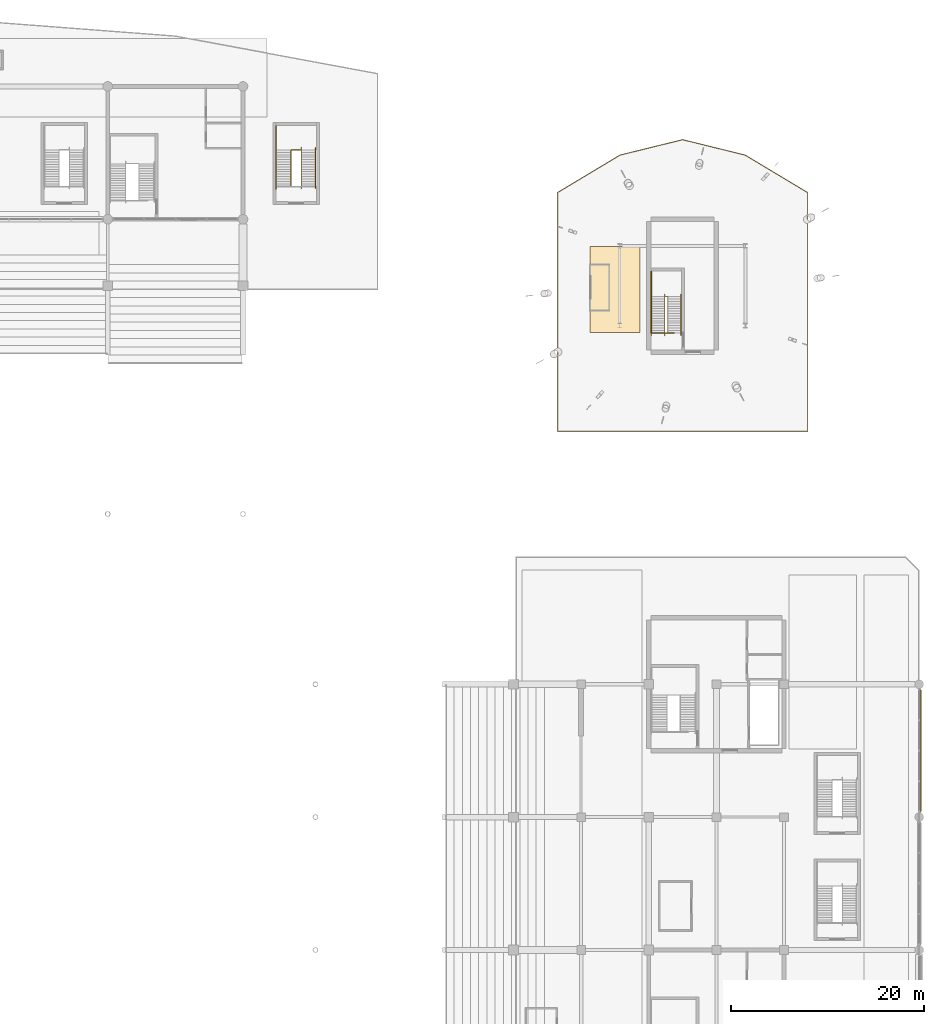
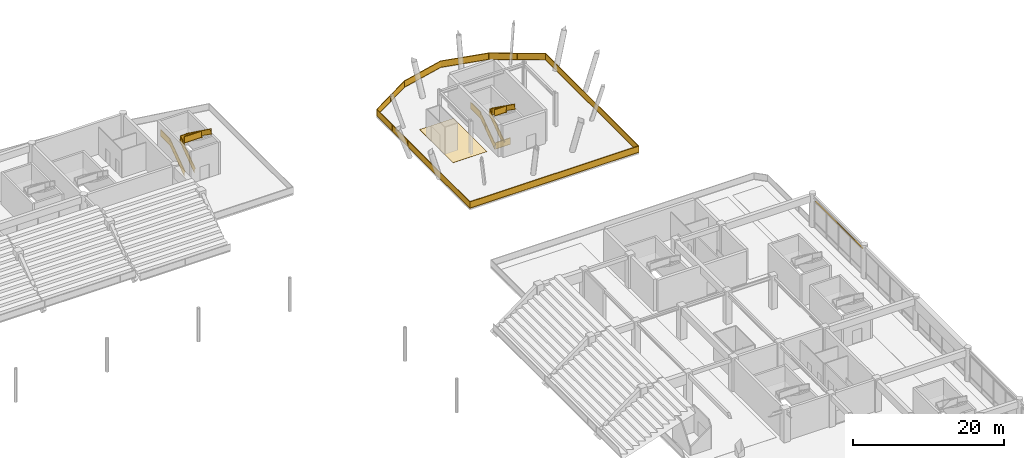
# One storey, part 117 of 117: 8 railings, 1 covering, 1 shading device.
"""IFC4 building model written with IfcOpenShell, lengths in metres."""

from ifc_helpers import new_model, si_unit, direction, frame, origin, origin_2d, place, context, subcontext, project, spatial, polyline, rectangle, outline, extrude, material, layer, layer_set, type_object, element, save


model = new_model("IFC4")

# Units and contexts
model_context = context("Model", 3, precision=1e-05, world=origin(), true_north=direction((0.0, 1.0)))
body_context = subcontext(model_context, "Body", "Model", "MODEL_VIEW")
ifc_project = project(units=[si_unit("LENGTHUNIT", "METRE"), si_unit("AREAUNIT", "SQUARE_METRE"), si_unit("VOLUMEUNIT", "CUBIC_METRE"), si_unit("PLANEANGLEUNIT", "RADIAN"), si_unit("MASSUNIT", "GRAM", prefix="KILO")], contexts=[model_context])

# Site, building, storey
site_placement = place(None, origin())
site = spatial("IfcSite", under=ifc_project, at=site_placement, CompositionType="ELEMENT")
building_placement = place(site_placement, origin())
building = spatial("IfcBuilding", under=site, at=building_placement, Name="Linyun Crest Stadium", CompositionType="ELEMENT")
storey_placement = place(building_placement, frame((0.0, 0.0, 6.0)))
storey = spatial("IfcBuildingStorey", under=building, at=storey_placement, Name="L02", CompositionType="ELEMENT", Elevation=6.0)

# Covering
ifc_material_1 = material(Name="Terrazzo concourse and hospitality floor finish")
ifc_layer_1 = layer(ifc_material_1, 0.02197265625)
ifc_layer_set_1 = layer_set([ifc_layer_1], Name="Terrazzo concourse and hospitality floor finish")
covering_type = type_object("IfcCoveringType", Name="FLR02", PredefinedType="FLOORING", material=ifc_layer_set_1)
covering_placement = place(storey_placement, origin())
element("IfcCovering", 1, at=covering_placement, inside=storey, type_object=covering_type, Name="Terrazzo flooring FLR02 71", PredefinedType="FLOORING", context=body_context, shape_type="SweptSolid", body=[
    extrude(outline(polyline([(63.89990234375, 79.800048828125), (69.10009765625, 79.800048828125), (69.10009765625, 88.699951171875), (63.89990234375, 88.699951171875), (63.89990234375, 79.800048828125)])), origin(), (0.0, 0.0, 1.0), 0.02197265625),
])

# Railings
ifc_material_2 = material(Name="Galvanized and powder-coated steel bowl safety barrier", Category="steel")
railing_type_1 = type_object("IfcRailingType", Name="GR02", PredefinedType="GUARDRAIL", material=ifc_material_2)
railing_1_placement = place(storey_placement, frame((60.56005859375, 69.56005859375, 0.0)))
element("IfcRailing", 2, at=railing_1_placement, inside=storey, type_object=railing_type_1, Name="Slab edge balustrade GR02 333", PredefinedType="GUARDRAIL", context=body_context, shape_type="SweptSolid", body=[
    extrude(rectangle(XDim=0.06005859375, YDim=0.06005859375, at=origin_2d()), frame((0.0, 0.0, 1.090087890625), z_axis=(0.0, 1.0, 0.0), x_axis=(-1.0, 0.0, 0.0)), (0.0, 0.0, 1.0), 24.7060546875),
    extrude(rectangle(XDim=0.030029296875, YDim=1.0, at=origin_2d()), frame((0.0, 0.0, 0.56005859375), z_axis=(0.0, 1.0, 0.0), x_axis=(-1.0, 0.0, 0.0)), (0.0, 0.0, 1.0), 24.7060546875),
    extrude(rectangle(XDim=0.06005859375, YDim=0.06005859375, at=origin_2d()), frame((0.0, 0.0, 0.030029296875), z_axis=(0.0, 1.0, 0.0), x_axis=(-1.0, 0.0, 0.0)), (0.0, 0.0, 1.0), 24.7060546875),
    extrude(rectangle(XDim=0.06005859375, YDim=0.06005859375, at=origin_2d()), frame((0.0, 24.7060546875, 1.090087890625), z_axis=(0.857481493024, 0.514514809429, 0.0), x_axis=(-0.514514809429, 0.857481493024, 0.0)), (0.0, 0.0, 1.0), 7.537109375),
    extrude(rectangle(XDim=0.030029296875, YDim=1.0, at=origin_2d()), frame((0.0, 24.7060546875, 0.56005859375), z_axis=(0.857481493024, 0.514514809429, 0.0), x_axis=(-0.514514809429, 0.857481493024, 0.0)), (0.0, 0.0, 1.0), 7.537109375),
    extrude(rectangle(XDim=0.06005859375, YDim=0.06005859375, at=origin_2d()), frame((0.0, 24.7060546875, 0.030029296875), z_axis=(0.857481493024, 0.514514809429, 0.0), x_axis=(-0.514514809429, 0.857481493024, 0.0)), (0.0, 0.0, 1.0), 7.537109375),
    extrude(rectangle(XDim=0.06005859375, YDim=0.06005859375, at=origin_2d()), frame((6.462890625, 28.583984375, 1.090087890625), z_axis=(0.971027293085, 0.238968608992, 0.0), x_axis=(-0.238968608992, 0.971027293085, 0.0)), (0.0, 0.0, 1.0), 6.67041015625),
    extrude(rectangle(XDim=0.030029296875, YDim=1.0, at=origin_2d()), frame((6.462890625, 28.583984375, 0.56005859375), z_axis=(0.971027293085, 0.238968608992, 0.0), x_axis=(-0.238968608992, 0.971027293085, 0.0)), (0.0, 0.0, 1.0), 6.67041015625),
    extrude(rectangle(XDim=0.06005859375, YDim=0.06005859375, at=origin_2d()), frame((6.462890625, 28.583984375, 0.030029296875), z_axis=(0.971027293085, 0.238968608992, 0.0), x_axis=(-0.238968608992, 0.971027293085, 0.0)), (0.0, 0.0, 1.0), 6.67041015625),
    extrude(rectangle(XDim=0.06005859375, YDim=0.06005859375, at=origin_2d()), frame((12.93994140625, 30.177978515625, 1.090087890625), z_axis=(0.971027293085, -0.238968608992, 0.0), x_axis=(0.238968608992, 0.971027293085, 0.0)), (0.0, 0.0, 1.0), 6.67041015625),
    extrude(rectangle(XDim=0.030029296875, YDim=1.0, at=origin_2d()), frame((12.93994140625, 30.177978515625, 0.56005859375), z_axis=(0.971027293085, -0.238968608992, 0.0), x_axis=(0.238968608992, 0.971027293085, 0.0)), (0.0, 0.0, 1.0), 6.67041015625),
    extrude(rectangle(XDim=0.06005859375, YDim=0.06005859375, at=origin_2d()), frame((12.93994140625, 30.177978515625, 0.030029296875), z_axis=(0.971027293085, -0.238968608992, 0.0), x_axis=(0.238968608992, 0.971027293085, 0.0)), (0.0, 0.0, 1.0), 6.67041015625),
    extrude(rectangle(XDim=0.06005859375, YDim=0.06005859375, at=origin_2d()), frame((19.4169921875, 28.583984375, 1.090087890625), z_axis=(0.857481493024, -0.514514809429, 0.0), x_axis=(0.514514809429, 0.857481493024, 0.0)), (0.0, 0.0, 1.0), 7.537109375),
    extrude(rectangle(XDim=0.030029296875, YDim=1.0, at=origin_2d()), frame((19.4169921875, 28.583984375, 0.56005859375), z_axis=(0.857481493024, -0.514514809429, 0.0), x_axis=(0.514514809429, 0.857481493024, 0.0)), (0.0, 0.0, 1.0), 7.537109375),
    extrude(rectangle(XDim=0.06005859375, YDim=0.06005859375, at=origin_2d()), frame((19.4169921875, 28.583984375, 0.030029296875), z_axis=(0.857481493024, -0.514514809429, 0.0), x_axis=(0.514514809429, 0.857481493024, 0.0)), (0.0, 0.0, 1.0), 7.537109375),
    extrude(rectangle(XDim=0.06005859375, YDim=0.06005859375, at=origin_2d()), frame((25.8798828125, 24.7060546875, 1.090087890625), z_axis=(0.0, -1.0, 0.0), x_axis=(1.0, 0.0, 0.0)), (0.0, 0.0, 1.0), 24.7060546875),
    extrude(rectangle(XDim=0.030029296875, YDim=1.0, at=origin_2d()), frame((25.8798828125, 24.7060546875, 0.56005859375), z_axis=(0.0, -1.0, 0.0), x_axis=(1.0, 0.0, 0.0)), (0.0, 0.0, 1.0), 24.7060546875),
    extrude(rectangle(XDim=0.06005859375, YDim=0.06005859375, at=origin_2d()), frame((25.8798828125, 24.7060546875, 0.030029296875), z_axis=(0.0, -1.0, 0.0), x_axis=(1.0, 0.0, 0.0)), (0.0, 0.0, 1.0), 24.7060546875),
    extrude(rectangle(XDim=0.06005859375, YDim=0.06005859375, at=origin_2d()), frame((25.8798828125, 0.0, 1.090087890625), z_axis=(-1.0, 0.0, 0.0), x_axis=(0.0, -1.0, 0.0)), (0.0, 0.0, 1.0), 25.8798828125),
    extrude(rectangle(XDim=0.030029296875, YDim=1.0, at=origin_2d()), frame((25.8798828125, 0.0, 0.56005859375), z_axis=(-1.0, 0.0, 0.0), x_axis=(0.0, -1.0, 0.0)), (0.0, 0.0, 1.0), 25.8798828125),
    extrude(rectangle(XDim=0.06005859375, YDim=0.06005859375, at=origin_2d()), frame((25.8798828125, 0.0, 0.030029296875), z_axis=(-1.0, 0.0, 0.0), x_axis=(0.0, -1.0, 0.0)), (0.0, 0.0, 1.0), 25.8798828125),
    extrude(rectangle(XDim=0.050048828125, YDim=0.050048828125, at=origin_2d()), origin(), (0.0, 0.0, 1.0), 1.1201171875),
    extrude(rectangle(XDim=0.050048828125, YDim=0.050048828125, at=origin_2d()), frame((0.0, 4.11767578125, 0.0)), (0.0, 0.0, 1.0), 1.1201171875),
    extrude(rectangle(XDim=0.050048828125, YDim=0.050048828125, at=origin_2d()), frame((0.0, 8.2353515625, 0.0)), (0.0, 0.0, 1.0), 1.1201171875),
    extrude(rectangle(XDim=0.050048828125, YDim=0.050048828125, at=origin_2d()), frame((0.0, 12.35302734375, 0.0)), (0.0, 0.0, 1.0), 1.1201171875),
    extrude(rectangle(XDim=0.050048828125, YDim=0.050048828125, at=origin_2d()), frame((0.0, 16.470703125, 0.0)), (0.0, 0.0, 1.0), 1.1201171875),
    extrude(rectangle(XDim=0.050048828125, YDim=0.050048828125, at=origin_2d()), frame((0.0, 20.58837890625, 0.0)), (0.0, 0.0, 1.0), 1.1201171875),
    extrude(rectangle(XDim=0.050048828125, YDim=0.050048828125, at=origin_2d()), frame((0.0, 24.7060546875, 0.0)), (0.0, 0.0, 1.0), 1.1201171875),
    extrude(rectangle(XDim=0.050048828125, YDim=0.050048828125, at=origin_2d()), frame((3.2314453125, 26.64501953125, 0.0)), (0.0, 0.0, 1.0), 1.1201171875),
    extrude(rectangle(XDim=0.050048828125, YDim=0.050048828125, at=origin_2d()), frame((6.462890625, 28.583984375, 0.0)), (0.0, 0.0, 1.0), 1.1201171875),
    extrude(rectangle(XDim=0.050048828125, YDim=0.050048828125, at=origin_2d()), frame((9.701416015625, 29.380859375, 0.0)), (0.0, 0.0, 1.0), 1.1201171875),
    extrude(rectangle(XDim=0.050048828125, YDim=0.050048828125, at=origin_2d()), frame((12.93994140625, 30.177978515625, 0.0)), (0.0, 0.0, 1.0), 1.1201171875),
    extrude(rectangle(XDim=0.050048828125, YDim=0.050048828125, at=origin_2d()), frame((16.178466796875, 29.380859375, 0.0)), (0.0, 0.0, 1.0), 1.1201171875),
    extrude(rectangle(XDim=0.050048828125, YDim=0.050048828125, at=origin_2d()), frame((19.4169921875, 28.583984375, 0.0)), (0.0, 0.0, 1.0), 1.1201171875),
    extrude(rectangle(XDim=0.050048828125, YDim=0.050048828125, at=origin_2d()), frame((22.6484375, 26.64501953125, 0.0)), (0.0, 0.0, 1.0), 1.1201171875),
    extrude(rectangle(XDim=0.050048828125, YDim=0.050048828125, at=origin_2d()), frame((25.8798828125, 24.7060546875, 0.0)), (0.0, 0.0, 1.0), 1.1201171875),
    extrude(rectangle(XDim=0.050048828125, YDim=0.050048828125, at=origin_2d()), frame((25.8798828125, 20.58837890625, 0.0)), (0.0, 0.0, 1.0), 1.1201171875),
    extrude(rectangle(XDim=0.050048828125, YDim=0.050048828125, at=origin_2d()), frame((25.8798828125, 16.470703125, 0.0)), (0.0, 0.0, 1.0), 1.1201171875),
    extrude(rectangle(XDim=0.050048828125, YDim=0.050048828125, at=origin_2d()), frame((25.8798828125, 12.35302734375, 0.0)), (0.0, 0.0, 1.0), 1.1201171875),
    extrude(rectangle(XDim=0.050048828125, YDim=0.050048828125, at=origin_2d()), frame((25.8798828125, 8.2353515625, 0.0)), (0.0, 0.0, 1.0), 1.1201171875),
    extrude(rectangle(XDim=0.050048828125, YDim=0.050048828125, at=origin_2d()), frame((25.8798828125, 4.11767578125, 0.0)), (0.0, 0.0, 1.0), 1.1201171875),
    extrude(rectangle(XDim=0.050048828125, YDim=0.050048828125, at=origin_2d()), frame((25.8798828125, 0.0, 0.0)), (0.0, 0.0, 1.0), 1.1201171875),
    extrude(rectangle(XDim=0.050048828125, YDim=0.050048828125, at=origin_2d()), frame((21.566650390625, 0.0, 0.0)), (0.0, 0.0, 1.0), 1.1201171875),
    extrude(rectangle(XDim=0.050048828125, YDim=0.050048828125, at=origin_2d()), frame((17.253173828125, 0.0, 0.0)), (0.0, 0.0, 1.0), 1.1201171875),
    extrude(rectangle(XDim=0.050048828125, YDim=0.050048828125, at=origin_2d()), frame((12.93994140625, 0.0, 0.0)), (0.0, 0.0, 1.0), 1.1201171875),
    extrude(rectangle(XDim=0.050048828125, YDim=0.050048828125, at=origin_2d()), frame((8.626708984375, 0.0, 0.0)), (0.0, 0.0, 1.0), 1.1201171875),
    extrude(rectangle(XDim=0.050048828125, YDim=0.050048828125, at=origin_2d()), frame((4.313232421875, 0.0, 0.0)), (0.0, 0.0, 1.0), 1.1201171875),
])
railing_2_placement = place(storey_placement, frame((70.364990234375, 79.7099609375, 0.0)))
element("IfcRailing", 3, at=railing_2_placement, inside=storey, type_object=railing_type_1, Name="Slab edge balustrade GR02 334", PredefinedType="GUARDRAIL", context=body_context, shape_type="SweptSolid", body=[
    extrude(rectangle(XDim=0.06005859375, YDim=0.06005859375, at=origin_2d()), frame((0.0, 0.0, 1.090087890625), z_axis=(1.0, 0.0, 0.0), x_axis=(0.0, 1.0, 0.0)), (0.0, 0.0, 1.0), 2.235107421875),
    extrude(rectangle(XDim=0.030029296875, YDim=1.0, at=origin_2d()), frame((0.0, 0.0, 0.56005859375), z_axis=(1.0, 0.0, 0.0), x_axis=(0.0, 1.0, 0.0)), (0.0, 0.0, 1.0), 2.235107421875),
    extrude(rectangle(XDim=0.06005859375, YDim=0.06005859375, at=origin_2d()), frame((0.0, 0.0, 0.030029296875), z_axis=(1.0, 0.0, 0.0), x_axis=(0.0, 1.0, 0.0)), (0.0, 0.0, 1.0), 2.235107421875),
    extrude(rectangle(XDim=0.050048828125, YDim=0.050048828125, at=origin_2d()), origin(), (0.0, 0.0, 1.0), 1.1201171875),
    extrude(rectangle(XDim=0.050048828125, YDim=0.050048828125, at=origin_2d()), frame((2.235107421875, 0.0, 0.0)), (0.0, 0.0, 1.0), 1.1201171875),
])
ifc_material_3 = material(Name="Painted steel stairwell safety guard", Category="steel")
railing_type_2 = type_object("IfcRailingType", Name="GR03", PredefinedType="GUARDRAIL", material=ifc_material_3)
railing_3_placement = place(storey_placement, frame((70.2548828125, 79.739990234375, 0.0)))
element("IfcRailing", 4, at=railing_3_placement, inside=storey, type_object=railing_type_2, Name="STR-12-L02 outer guard", PredefinedType="GUARDRAIL", context=body_context, shape_type="SweptSolid", body=[
    extrude(rectangle(XDim=0.06005859375, YDim=0.06005859375, at=origin_2d()), frame((0.0, 0.0, 1.090087890625), z_axis=(0.0, 0.811539352079, 0.584297766578), x_axis=(-1.0, 0.0, 0.0)), (0.0, 0.0, 1.0), 4.620849609375),
    extrude(rectangle(XDim=0.030029296875, YDim=1.0, at=origin_2d()), frame((0.0, 0.0, 0.56005859375), z_axis=(0.0, 0.811539352079, 0.584297766578), x_axis=(-1.0, 0.0, 0.0)), (0.0, 0.0, 1.0), 4.620849609375),
    extrude(rectangle(XDim=0.06005859375, YDim=0.06005859375, at=origin_2d()), frame((0.0, 0.0, 0.030029296875), z_axis=(0.0, 0.811539352079, 0.584297766578), x_axis=(-1.0, 0.0, 0.0)), (0.0, 0.0, 1.0), 4.620849609375),
    extrude(rectangle(XDim=0.06005859375, YDim=0.06005859375, at=origin_2d()), frame((0.0, 3.75, 3.7900390625), z_axis=(0.0, 1.0, 0.0), x_axis=(-1.0, 0.0, 0.0)), (0.0, 0.0, 1.0), 2.630126953125),
    extrude(rectangle(XDim=0.030029296875, YDim=1.0, at=origin_2d()), frame((0.0, 3.75, 3.260009765625), z_axis=(0.0, 1.0, 0.0), x_axis=(-1.0, 0.0, 0.0)), (0.0, 0.0, 1.0), 2.630126953125),
    extrude(rectangle(XDim=0.06005859375, YDim=0.06005859375, at=origin_2d()), frame((0.0, 3.75, 2.72998046875), z_axis=(0.0, 1.0, 0.0), x_axis=(-1.0, 0.0, 0.0)), (0.0, 0.0, 1.0), 2.630126953125),
    extrude(rectangle(XDim=0.050048828125, YDim=0.050048828125, at=origin_2d()), origin(), (0.0, 0.0, 1.0), 1.1201171875),
    extrude(rectangle(XDim=0.050048828125, YDim=0.050048828125, at=origin_2d()), frame((0.0, 1.25, 0.89990234375)), (0.0, 0.0, 1.0), 1.1201171875),
    extrude(rectangle(XDim=0.050048828125, YDim=0.050048828125, at=origin_2d()), frame((0.0, 2.5, 1.800048828125)), (0.0, 0.0, 1.0), 1.1201171875),
    extrude(rectangle(XDim=0.050048828125, YDim=0.050048828125, at=origin_2d()), frame((0.0, 3.75, 2.699951171875)), (0.0, 0.0, 1.0), 1.1201171875),
    extrude(rectangle(XDim=0.050048828125, YDim=0.050048828125, at=origin_2d()), frame((0.0, 5.06494140625, 2.699951171875)), (0.0, 0.0, 1.0), 1.1201171875),
    extrude(rectangle(XDim=0.050048828125, YDim=0.050048828125, at=origin_2d()), frame((0.0, 6.380126953125, 2.699951171875)), (0.0, 0.0, 1.0), 1.1201171875),
])
railing_4_placement = place(storey_placement, frame((71.64501953125, 79.719970703125, 0.0)))
element("IfcRailing", 5, at=railing_4_placement, inside=storey, type_object=railing_type_2, Name="STR-12-L02 inner well guard", PredefinedType="GUARDRAIL", context=body_context, shape_type="SweptSolid", body=[
    extrude(rectangle(XDim=0.06005859375, YDim=0.06005859375, at=origin_2d()), frame((0.0, 0.0, 1.090087890625), z_axis=(0.0, 0.813010693788, 0.582248754216), x_axis=(-1.0, 0.0, 0.0)), (0.0, 0.0, 1.0), 4.63720703125),
    extrude(rectangle(XDim=0.030029296875, YDim=1.0, at=origin_2d()), frame((0.0, 0.0, 0.56005859375), z_axis=(0.0, 0.813010693788, 0.582248754216), x_axis=(-1.0, 0.0, 0.0)), (0.0, 0.0, 1.0), 4.63720703125),
    extrude(rectangle(XDim=0.06005859375, YDim=0.06005859375, at=origin_2d()), frame((0.0, 0.0, 0.030029296875), z_axis=(0.0, 0.813010693788, 0.582248754216), x_axis=(-1.0, 0.0, 0.0)), (0.0, 0.0, 1.0), 4.63720703125),
    extrude(rectangle(XDim=0.06005859375, YDim=0.06005859375, at=origin_2d()), frame((0.0, 3.77001953125, 3.7900390625), z_axis=(1.0, 0.0, 0.0), x_axis=(0.0, 1.0, 0.0)), (0.0, 0.0, 1.0), 0.3349609375),
    extrude(rectangle(XDim=0.030029296875, YDim=1.0, at=origin_2d()), frame((0.0, 3.77001953125, 3.260009765625), z_axis=(1.0, 0.0, 0.0), x_axis=(0.0, 1.0, 0.0)), (0.0, 0.0, 1.0), 0.3349609375),
    extrude(rectangle(XDim=0.06005859375, YDim=0.06005859375, at=origin_2d()), frame((0.0, 3.77001953125, 2.72998046875), z_axis=(1.0, 0.0, 0.0), x_axis=(0.0, 1.0, 0.0)), (0.0, 0.0, 1.0), 0.3349609375),
    extrude(rectangle(XDim=0.06005859375, YDim=0.06005859375, at=origin_2d()), frame((0.3349609375, 3.77001953125, 3.7900390625), z_axis=(0.0, -0.813010693788, 0.582248754216), x_axis=(1.0, 0.0, 0.0)), (0.0, 0.0, 1.0), 4.63720703125),
    extrude(rectangle(XDim=0.030029296875, YDim=1.0, at=origin_2d()), frame((0.3349609375, 3.77001953125, 3.260009765625), z_axis=(0.0, -0.813010693788, 0.582248754216), x_axis=(1.0, 0.0, 0.0)), (0.0, 0.0, 1.0), 4.63720703125),
    extrude(rectangle(XDim=0.06005859375, YDim=0.06005859375, at=origin_2d()), frame((0.3349609375, 3.77001953125, 2.72998046875), z_axis=(0.0, -0.813010693788, 0.582248754216), x_axis=(1.0, 0.0, 0.0)), (0.0, 0.0, 1.0), 4.63720703125),
    extrude(rectangle(XDim=0.06005859375, YDim=0.06005859375, at=origin_2d()), frame((0.3349609375, 0.0, 6.489990234375), z_axis=(-1.0, 0.0, 0.0), x_axis=(0.0, -1.0, 0.0)), (0.0, 0.0, 1.0), 1.73486328125),
    extrude(rectangle(XDim=0.030029296875, YDim=1.0, at=origin_2d()), frame((0.3349609375, 0.0, 5.9599609375), z_axis=(-1.0, 0.0, 0.0), x_axis=(0.0, -1.0, 0.0)), (0.0, 0.0, 1.0), 1.73486328125),
    extrude(rectangle(XDim=0.06005859375, YDim=0.06005859375, at=origin_2d()), frame((0.3349609375, 0.0, 5.429931640625), z_axis=(-1.0, 0.0, 0.0), x_axis=(0.0, -1.0, 0.0)), (0.0, 0.0, 1.0), 1.73486328125),
    extrude(rectangle(XDim=0.050048828125, YDim=0.050048828125, at=origin_2d()), origin(), (0.0, 0.0, 1.0), 1.1201171875),
    extrude(rectangle(XDim=0.050048828125, YDim=0.050048828125, at=origin_2d()), frame((0.0, 1.256591796875, 0.89990234375)), (0.0, 0.0, 1.0), 1.1201171875),
    extrude(rectangle(XDim=0.050048828125, YDim=0.050048828125, at=origin_2d()), frame((0.0, 2.513427734375, 1.800048828125)), (0.0, 0.0, 1.0), 1.1201171875),
    extrude(rectangle(XDim=0.050048828125, YDim=0.050048828125, at=origin_2d()), frame((0.0, 3.77001953125, 2.699951171875)), (0.0, 0.0, 1.0), 1.1201171875),
    extrude(rectangle(XDim=0.050048828125, YDim=0.050048828125, at=origin_2d()), frame((0.3349609375, 3.77001953125, 2.699951171875)), (0.0, 0.0, 1.0), 1.1201171875),
    extrude(rectangle(XDim=0.050048828125, YDim=0.050048828125, at=origin_2d()), frame((0.3349609375, 2.513427734375, 3.599853515625)), (0.0, 0.0, 1.0), 1.1201171875),
    extrude(rectangle(XDim=0.050048828125, YDim=0.050048828125, at=origin_2d()), frame((0.3349609375, 1.256591796875, 4.5)), (0.0, 0.0, 1.0), 1.1201171875),
    extrude(rectangle(XDim=0.050048828125, YDim=0.050048828125, at=origin_2d()), frame((0.3349609375, 0.0, 5.39990234375)), (0.0, 0.0, 1.0), 1.1201171875),
    extrude(rectangle(XDim=0.050048828125, YDim=0.050048828125, at=origin_2d()), frame((-1.39990234375, 0.0, 5.39990234375)), (0.0, 0.0, 1.0), 1.1201171875),
])
railing_5_placement = place(storey_placement, frame((31.429931640625, 94.919921875, 0.0)))
element("IfcRailing", 6, at=railing_5_placement, inside=storey, type_object=railing_type_2, Name="STR-26-L02 outer guard", PredefinedType="GUARDRAIL", context=body_context, shape_type="SweptSolid", body=[
    extrude(rectangle(XDim=0.06005859375, YDim=0.06005859375, at=origin_2d()), frame((0.0, 0.0, 1.090087890625), z_axis=(0.0, 0.811539352079, 0.584297766578), x_axis=(-1.0, 0.0, 0.0)), (0.0, 0.0, 1.0), 4.620849609375),
    extrude(rectangle(XDim=0.030029296875, YDim=1.0, at=origin_2d()), frame((0.0, 0.0, 0.56005859375), z_axis=(0.0, 0.811539352079, 0.584297766578), x_axis=(-1.0, 0.0, 0.0)), (0.0, 0.0, 1.0), 4.620849609375),
    extrude(rectangle(XDim=0.06005859375, YDim=0.06005859375, at=origin_2d()), frame((0.0, 0.0, 0.030029296875), z_axis=(0.0, 0.811539352079, 0.584297766578), x_axis=(-1.0, 0.0, 0.0)), (0.0, 0.0, 1.0), 4.620849609375),
    extrude(rectangle(XDim=0.06005859375, YDim=0.06005859375, at=origin_2d()), frame((0.0, 3.75, 3.7900390625), z_axis=(0.0, 1.0, 0.0), x_axis=(-1.0, 0.0, 0.0)), (0.0, 0.0, 1.0), 2.5),
    extrude(rectangle(XDim=0.030029296875, YDim=1.0, at=origin_2d()), frame((0.0, 3.75, 3.260009765625), z_axis=(0.0, 1.0, 0.0), x_axis=(-1.0, 0.0, 0.0)), (0.0, 0.0, 1.0), 2.5),
    extrude(rectangle(XDim=0.06005859375, YDim=0.06005859375, at=origin_2d()), frame((0.0, 3.75, 2.72998046875), z_axis=(0.0, 1.0, 0.0), x_axis=(-1.0, 0.0, 0.0)), (0.0, 0.0, 1.0), 2.5),
    extrude(rectangle(XDim=0.050048828125, YDim=0.050048828125, at=origin_2d()), origin(), (0.0, 0.0, 1.0), 1.1201171875),
    extrude(rectangle(XDim=0.050048828125, YDim=0.050048828125, at=origin_2d()), frame((0.0, 1.25, 0.89990234375)), (0.0, 0.0, 1.0), 1.1201171875),
    extrude(rectangle(XDim=0.050048828125, YDim=0.050048828125, at=origin_2d()), frame((0.0, 2.5, 1.800048828125)), (0.0, 0.0, 1.0), 1.1201171875),
    extrude(rectangle(XDim=0.050048828125, YDim=0.050048828125, at=origin_2d()), frame((0.0, 3.75, 2.699951171875)), (0.0, 0.0, 1.0), 1.1201171875),
    extrude(rectangle(XDim=0.050048828125, YDim=0.050048828125, at=origin_2d()), frame((0.0, 5.0, 2.699951171875)), (0.0, 0.0, 1.0), 1.1201171875),
    extrude(rectangle(XDim=0.050048828125, YDim=0.050048828125, at=origin_2d()), frame((0.0, 6.25, 2.699951171875)), (0.0, 0.0, 1.0), 1.1201171875),
])
railing_6_placement = place(storey_placement, frame((32.969970703125, 94.89990234375, 0.0)))
element("IfcRailing", 7, at=railing_6_placement, inside=storey, type_object=railing_type_2, Name="STR-26-L02 inner well guard", PredefinedType="GUARDRAIL", context=body_context, shape_type="SweptSolid", body=[
    extrude(rectangle(XDim=0.06005859375, YDim=0.06005859375, at=origin_2d()), frame((0.0, 0.0, 1.090087890625), z_axis=(0.0, 0.813010693788, 0.582248754216), x_axis=(-1.0, 0.0, 0.0)), (0.0, 0.0, 1.0), 4.63720703125),
    extrude(rectangle(XDim=0.030029296875, YDim=1.0, at=origin_2d()), frame((0.0, 0.0, 0.56005859375), z_axis=(0.0, 0.813010693788, 0.582248754216), x_axis=(-1.0, 0.0, 0.0)), (0.0, 0.0, 1.0), 4.63720703125),
    extrude(rectangle(XDim=0.06005859375, YDim=0.06005859375, at=origin_2d()), frame((0.0, 0.0, 0.030029296875), z_axis=(0.0, 0.813010693788, 0.582248754216), x_axis=(-1.0, 0.0, 0.0)), (0.0, 0.0, 1.0), 4.63720703125),
    extrude(rectangle(XDim=0.06005859375, YDim=0.06005859375, at=origin_2d()), frame((0.0, 3.77001953125, 3.7900390625), z_axis=(1.0, 0.0, 0.0), x_axis=(0.0, 1.0, 0.0)), (0.0, 0.0, 1.0), 1.06005859375),
    extrude(rectangle(XDim=0.030029296875, YDim=1.0, at=origin_2d()), frame((0.0, 3.77001953125, 3.260009765625), z_axis=(1.0, 0.0, 0.0), x_axis=(0.0, 1.0, 0.0)), (0.0, 0.0, 1.0), 1.06005859375),
    extrude(rectangle(XDim=0.06005859375, YDim=0.06005859375, at=origin_2d()), frame((0.0, 3.77001953125, 2.72998046875), z_axis=(1.0, 0.0, 0.0), x_axis=(0.0, 1.0, 0.0)), (0.0, 0.0, 1.0), 1.06005859375),
    extrude(rectangle(XDim=0.06005859375, YDim=0.06005859375, at=origin_2d()), frame((1.06005859375, 3.77001953125, 3.7900390625), z_axis=(0.0, -0.813010693788, 0.582248754216), x_axis=(1.0, 0.0, 0.0)), (0.0, 0.0, 1.0), 4.63720703125),
    extrude(rectangle(XDim=0.030029296875, YDim=1.0, at=origin_2d()), frame((1.06005859375, 3.77001953125, 3.260009765625), z_axis=(0.0, -0.813010693788, 0.582248754216), x_axis=(1.0, 0.0, 0.0)), (0.0, 0.0, 1.0), 4.63720703125),
    extrude(rectangle(XDim=0.06005859375, YDim=0.06005859375, at=origin_2d()), frame((1.06005859375, 3.77001953125, 2.72998046875), z_axis=(0.0, -0.813010693788, 0.582248754216), x_axis=(1.0, 0.0, 0.0)), (0.0, 0.0, 1.0), 4.63720703125),
    extrude(rectangle(XDim=0.06005859375, YDim=0.06005859375, at=origin_2d()), frame((1.06005859375, 0.0, 6.489990234375), z_axis=(-1.0, 0.0, 0.0), x_axis=(0.0, -1.0, 0.0)), (0.0, 0.0, 1.0), 2.610107421875),
    extrude(rectangle(XDim=0.030029296875, YDim=1.0, at=origin_2d()), frame((1.06005859375, 0.0, 5.9599609375), z_axis=(-1.0, 0.0, 0.0), x_axis=(0.0, -1.0, 0.0)), (0.0, 0.0, 1.0), 2.610107421875),
    extrude(rectangle(XDim=0.06005859375, YDim=0.06005859375, at=origin_2d()), frame((1.06005859375, 0.0, 5.429931640625), z_axis=(-1.0, 0.0, 0.0), x_axis=(0.0, -1.0, 0.0)), (0.0, 0.0, 1.0), 2.610107421875),
    extrude(rectangle(XDim=0.050048828125, YDim=0.050048828125, at=origin_2d()), origin(), (0.0, 0.0, 1.0), 1.1201171875),
    extrude(rectangle(XDim=0.050048828125, YDim=0.050048828125, at=origin_2d()), frame((0.0, 1.256591796875, 0.89990234375)), (0.0, 0.0, 1.0), 1.1201171875),
    extrude(rectangle(XDim=0.050048828125, YDim=0.050048828125, at=origin_2d()), frame((0.0, 2.513427734375, 1.800048828125)), (0.0, 0.0, 1.0), 1.1201171875),
    extrude(rectangle(XDim=0.050048828125, YDim=0.050048828125, at=origin_2d()), frame((0.0, 3.77001953125, 2.699951171875)), (0.0, 0.0, 1.0), 1.1201171875),
    extrude(rectangle(XDim=0.050048828125, YDim=0.050048828125, at=origin_2d()), frame((1.06005859375, 3.77001953125, 2.699951171875)), (0.0, 0.0, 1.0), 1.1201171875),
    extrude(rectangle(XDim=0.050048828125, YDim=0.050048828125, at=origin_2d()), frame((1.06005859375, 2.513427734375, 3.599853515625)), (0.0, 0.0, 1.0), 1.1201171875),
    extrude(rectangle(XDim=0.050048828125, YDim=0.050048828125, at=origin_2d()), frame((1.06005859375, 1.256591796875, 4.5)), (0.0, 0.0, 1.0), 1.1201171875),
    extrude(rectangle(XDim=0.050048828125, YDim=0.050048828125, at=origin_2d()), frame((1.06005859375, 0.0, 5.39990234375)), (0.0, 0.0, 1.0), 1.1201171875),
    extrude(rectangle(XDim=0.050048828125, YDim=0.050048828125, at=origin_2d()), frame((-0.2451171875, 0.0, 5.39990234375)), (0.0, 0.0, 1.0), 1.1201171875),
    extrude(rectangle(XDim=0.050048828125, YDim=0.050048828125, at=origin_2d()), frame((-1.550048828125, 0.0, 5.39990234375)), (0.0, 0.0, 1.0), 1.1201171875),
])
ifc_material_4 = material(Name="Brushed stainless steel tubular handrail", Category="steel")
railing_type_3 = type_object("IfcRailingType", Name="HR01", PredefinedType="HANDRAIL", material=ifc_material_4)
for number, where, name in (
    (8, (73.320068359375, 83.489990234375, 2.699951171875), "STR-12-L02 handrail"),
    (9, (35.52001953125, 98.669921875, 2.699951171875), "STR-26-L02 handrail"),
):
    element("IfcRailing", number, at=place(storey_placement, frame(where)), inside=storey, type_object=railing_type_3, Name=name, PredefinedType="HANDRAIL", context=body_context, shape_type="SweptSolid", body=[
        extrude(rectangle(XDim=0.06005859375, YDim=0.06005859375, at=origin_2d()), frame((0.0, 0.0, 0.889892578125), z_axis=(0.0, -0.811539352079, 0.584297766578), x_axis=(1.0, 0.0, 0.0)), (0.0, 0.0, 1.0), 4.620849609375),
        extrude(rectangle(XDim=0.030029296875, YDim=0.7998046875, at=origin_2d()), frame((0.0, 0.0, 0.4599609375), z_axis=(0.0, -0.811539352079, 0.584297766578), x_axis=(1.0, 0.0, 0.0)), (0.0, 0.0, 1.0), 4.620849609375),
        extrude(rectangle(XDim=0.06005859375, YDim=0.06005859375, at=origin_2d()), frame((0.0, 0.0, 0.030029296875), z_axis=(0.0, -0.811539352079, 0.584297766578), x_axis=(1.0, 0.0, 0.0)), (0.0, 0.0, 1.0), 4.620849609375),
        extrude(rectangle(XDim=0.050048828125, YDim=0.050048828125, at=origin_2d()), origin(), (0.0, 0.0, 1.0), 0.919921875),
        extrude(rectangle(XDim=0.050048828125, YDim=0.050048828125, at=origin_2d()), frame((0.0, -1.25, 0.89990234375)), (0.0, 0.0, 1.0), 0.919921875),
        extrude(rectangle(XDim=0.050048828125, YDim=0.050048828125, at=origin_2d()), frame((0.0, -2.5, 1.800048828125)), (0.0, 0.0, 1.0), 0.919921875),
        extrude(rectangle(XDim=0.050048828125, YDim=0.050048828125, at=origin_2d()), frame((0.0, -3.75, 2.699951171875)), (0.0, 0.0, 1.0), 0.919921875),
    ])

# Shading device
ifc_material_5 = material(Name="Verdigris painted aluminium sun-louvre screen", Category="aluminium")
ifc_layer_2 = layer(ifc_material_5, 0.080078125)
ifc_layer_set_2 = layer_set([ifc_layer_2], Name="Verdigris painted aluminium sun-louvre screen")
shading_device_type = type_object("IfcShadingDeviceType", Name="SD01", PredefinedType="JALOUSIE", material=ifc_layer_set_2)
shading_device_placement = place(storey_placement, frame((98.1201171875, 36.5, 4.159912109375), z_axis=(0.0, 0.0, 1.0), x_axis=(1.0, 0.0, 0.0)))
element("IfcShadingDevice", 10, at=shading_device_placement, inside=storey, type_object=shading_device_type, Name="Veranda monsoon louvre SD01 259", PredefinedType="JALOUSIE", context=body_context, shape_type="SweptSolid", body=[
    extrude(rectangle(XDim=0.159912109375, YDim=12.550048828125, at=origin_2d()), origin(), (0.0, 0.0, 1.0), 0.1201171875),
])

save(model, "model.ifc")
